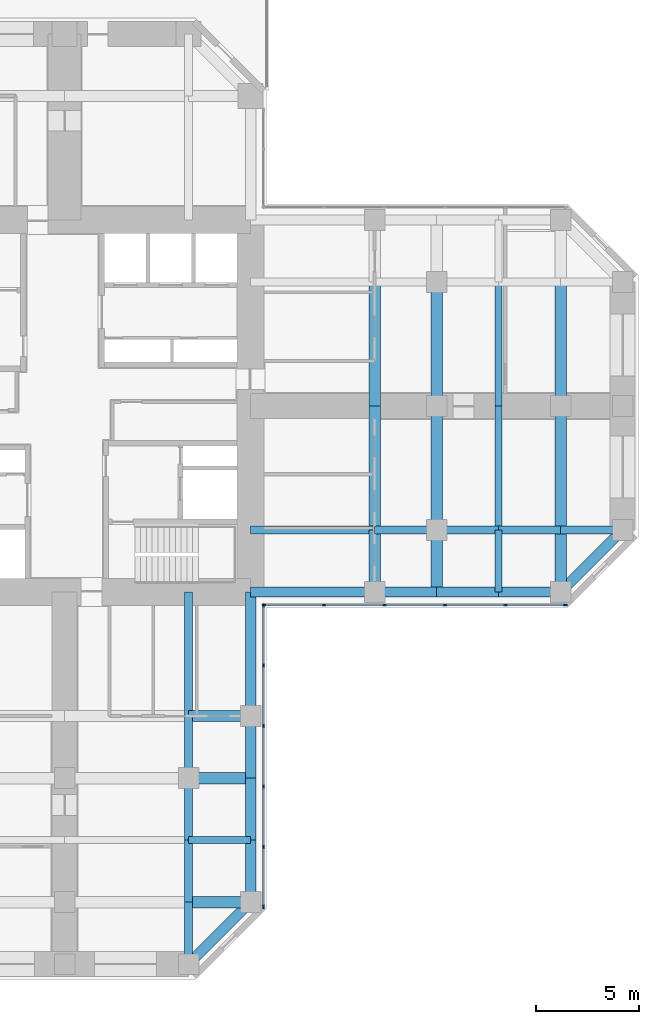
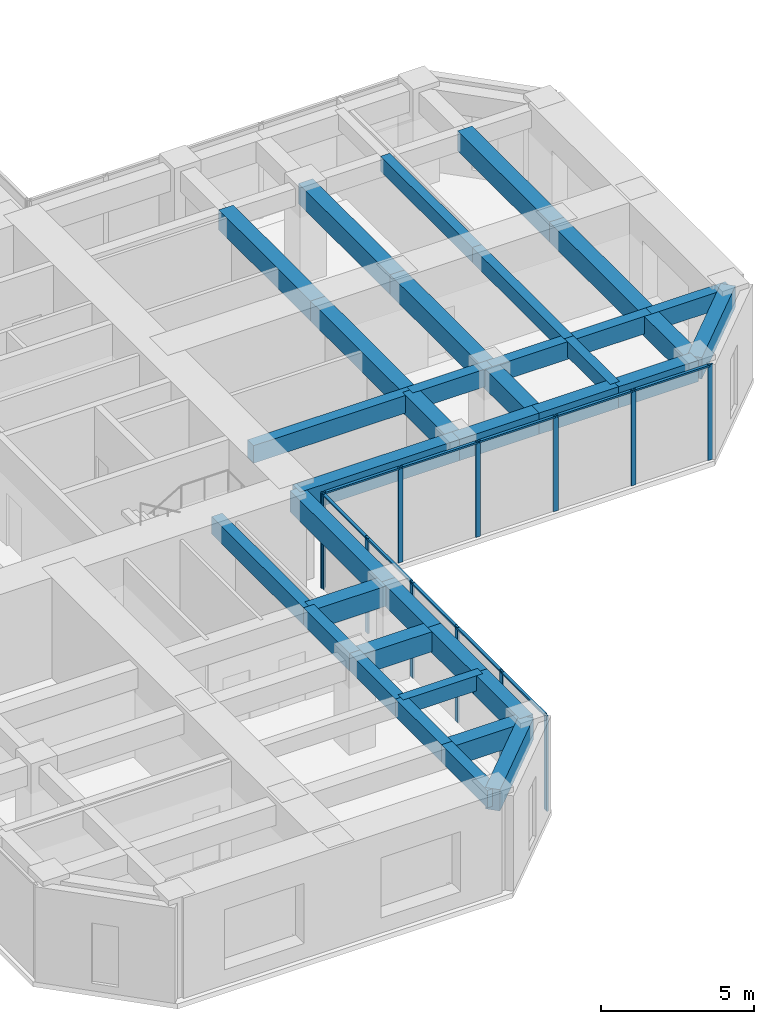
# One storey, part 4 of 12: 36 beams, 22 members, 2 elements without a shape of their own.
"""IFC4 building model written with IfcOpenShell, lengths in metres."""

import ifcopenshell
import ifcopenshell.guid

model = None  # the IFC model being written
_history = None  # IfcOwnerHistory: only IFC2X3 demands one
_inside = {}  # id of a spatial element -> (the spatial element, [elements in it])
_under = {}  # id of a project, library or spatial element -> (it, [spatial elements below it])
_declared = {}  # id of a project -> (the project, [libraries it declares])
_typed = {}  # id of a type object -> (the type object, [elements of that type])
_made_of = {}  # id of a material, layer set ... -> (it, [elements and type objects made of it])


def new_model(schema):
    """Start an empty IFC model of exactly this schema.

    Asked for "IFC4X3", IfcOpenShell would pick the latest addendum, in which some entities
    have other attributes; the version numbers below select the first issue.
    IFC2X3 requires an IfcOwnerHistory on every rooted entity: one is made here for all.
    """
    global model, _history
    if schema == "IFC4X3":
        model = ifcopenshell.file(schema_version=(4, 3, 0, 0))
    else:
        model = ifcopenshell.file(schema=schema)
    _inside.clear()
    _under.clear()
    _declared.clear()
    _typed.clear()
    _made_of.clear()
    _history = None
    if model.schema == "IFC2X3":
        org = make("IfcOrganization", Name="unknown")
        user = make(
            "IfcPersonAndOrganization",
            ThePerson=make("IfcPerson", FamilyName="unknown"),
            TheOrganization=org,
        )
        app = make(
            "IfcApplication",
            ApplicationDeveloper=org,
            Version="unknown",
            ApplicationFullName="unknown",
            ApplicationIdentifier="unknown",
        )
        _history = make(
            "IfcOwnerHistory",
            OwningUser=user,
            OwningApplication=app,
            ChangeAction="ADDED",
            CreationDate=0,
        )
    return model


def make(cls, **values):
    """One entity of the class cls with the attributes given. An attribute that is None is left unset."""
    return model.create_entity(
        cls, **{name: value for name, value in values.items() if value is not None}
    )


def rooted(cls, **values):
    """An entity with a GlobalId (a new one), such as an element, a storey or a relation."""
    return make(cls, GlobalId=ifcopenshell.guid.new(), OwnerHistory=_history, **values)


def si_unit(unit_type, name, prefix=None):
    """IfcSIUnit, for example si_unit("LENGTHUNIT", "METRE", prefix="MILLI")."""
    return make("IfcSIUnit", UnitType=unit_type, Prefix=prefix, Name=name)


def assignment(units):
    """IfcUnitAssignment: the units of a project."""
    return None if units is None else make("IfcUnitAssignment", Units=units)


def point(xyz):
    """IfcCartesianPoint."""
    return None if xyz is None else make("IfcCartesianPoint", Coordinates=xyz)


def direction(xyz):
    """IfcDirection."""
    return None if xyz is None else make("IfcDirection", DirectionRatios=xyz)


def frame(location, z_axis=None, x_axis=None):
    """IfcAxis2Placement3D, a coordinate frame: its origin and axes. An axis left out is left unset."""
    return make(
        "IfcAxis2Placement3D",
        Location=point(location),
        Axis=direction(z_axis),
        RefDirection=direction(x_axis),
    )


def frame_2d(location, x_axis=None):
    """IfcAxis2Placement2D, a coordinate frame in the plane: its origin and x axis."""
    return make(
        "IfcAxis2Placement2D", Location=point(location), RefDirection=direction(x_axis)
    )


def origin():
    """The frame at (0, 0, 0) with its axes left unset."""
    return frame((0.0, 0.0, 0.0))


def origin_2d():
    """The frame at (0, 0) in the plane with its x axis left unset."""
    return frame_2d((0.0, 0.0))


def place(relative_to, where):
    """IfcLocalPlacement: puts the frame where relative to a parent placement (None: the world)."""
    return make(
        "IfcLocalPlacement", PlacementRelTo=relative_to, RelativePlacement=where
    )


def context(
    kind, dimensions, precision=None, world=None, true_north=None, identifier=None
):
    """IfcGeometricRepresentationContext, for example the 3D "Model" context."""
    return make(
        "IfcGeometricRepresentationContext",
        ContextIdentifier=identifier,
        ContextType=kind,
        CoordinateSpaceDimension=dimensions,
        Precision=precision,
        WorldCoordinateSystem=world,
        TrueNorth=true_north,
    )


def subcontext(parent, identifier, kind, view, scale=None):
    """IfcGeometricRepresentationSubContext, for example "Body" below "Model"."""
    return make(
        "IfcGeometricRepresentationSubContext",
        ContextIdentifier=identifier,
        ContextType=kind,
        ParentContext=parent,
        TargetScale=scale,
        TargetView=view,
    )


def project(units=None, contexts=None):
    """IfcProject with its units and contexts."""
    return rooted(
        "IfcProject",
        Name="project",
        RepresentationContexts=contexts,
        UnitsInContext=assignment(units),
    )


def spatial(cls, under=None, at=None, **own):
    """A site, building, storey or space (cls), placed at a placement, below another one or the project."""
    s = rooted(cls, ObjectPlacement=at, **own)
    if under is not None:
        _under.setdefault(under.id(), (under, []))[1].append(s)
    return s


def profile(cls, at=None, kind="AREA", **sizes):
    """A parametric profile (cls). Its sizes go by their IFC names, for example OverallWidth=200.0."""
    return make(cls, ProfileType=kind, Position=at, **sizes)


def rectangle(**sizes):
    """IfcRectangleProfileDef."""
    return profile("IfcRectangleProfileDef", **sizes)


def extrude(swept, where, along, depth):
    """IfcExtrudedAreaSolid: the profile swept, set in the frame where, extruded along a direction by depth."""
    return make(
        "IfcExtrudedAreaSolid",
        SweptArea=swept,
        Position=where,
        ExtrudedDirection=direction(along),
        Depth=depth,
    )


def shape(context_of_items, identifier, shape_type, items):
    """IfcShapeRepresentation: the items that make up one representation, for example the "Body"."""
    return make(
        "IfcShapeRepresentation",
        ContextOfItems=context_of_items,
        RepresentationIdentifier=identifier,
        RepresentationType=shape_type,
        Items=items,
    )


def material(Name=None, Category=None):
    """IfcMaterial."""
    return make("IfcMaterial", Name=Name, Category=Category)


def material_profile(
    of_material, cross_section, Name=None, Category=None, Priority=None
):
    """IfcMaterialProfile: a cross section and its material."""
    return make(
        "IfcMaterialProfile",
        Name=Name,
        Material=of_material,
        Profile=cross_section,
        Priority=Priority,
        Category=Category,
    )


def profile_set(profiles, Name=None, composite=None):
    """IfcMaterialProfileSet."""
    return make(
        "IfcMaterialProfileSet",
        Name=Name,
        MaterialProfiles=profiles,
        CompositeProfile=composite,
    )


def made_of(thing, what):
    """Note that an element or type object is made of a material, layer set ...; save() writes the relation."""
    if what is not None:
        _made_of.setdefault(what.id(), (what, []))[1].append(thing)
    return thing


def type_object(cls, material=None, **own):
    """A type object (cls), such as IfcWallType, which elements share."""
    return made_of(rooted(cls, **own), material)


def element(
    cls,
    number,
    at=None,
    inside=None,
    cuts=None,
    type_object=None,
    material=None,
    context=None,
    identifier="Body",
    shape_type=None,
    held_by="IfcProductDefinitionShape",
    body=None,
    shapes=None,
    **own,
):
    """One element of the class cls, such as IfcWall. Its Tag is "e" and its number.

    at: its placement. inside: the storey or other place that contains it. cuts: it is an
    opening in that element (IfcRelVoidsElement). A single representation is given by context,
    identifier, shape_type and body (its items); several are given by shapes. held_by: the class
    of the entity that holds the representations. save() writes the other relations.
    """
    e = rooted(cls, Tag="e%d" % number, ObjectPlacement=at, **own)
    if body is not None:
        shapes = [shape(context, identifier, shape_type, body)]
    if shapes is not None:
        e.Representation = make(held_by, Representations=shapes)
    if inside is not None:
        _inside.setdefault(inside.id(), (inside, []))[1].append(e)
    if cuts is not None:
        rooted(
            "IfcRelVoidsElement", RelatingBuildingElement=cuts, RelatedOpeningElement=e
        )
    if type_object is not None:
        _typed.setdefault(type_object.id(), (type_object, []))[1].append(e)
    return made_of(e, material)


def aggregate(whole, parts):
    """IfcRelAggregates: a whole, such as a stair, and the parts it consists of."""
    return rooted("IfcRelAggregates", RelatingObject=whole, RelatedObjects=parts)


def save(model, path):
    """Write the relations noted so far, then the file.

    IfcRelAggregates (storeys below a building ...), IfcRelContainedInSpatialStructure (elements
    in a storey), IfcRelDefinesByType, IfcRelAssociatesMaterial and IfcRelDeclares: one each for
    every whole, place, type object, material and project.
    """
    for whole, parts in _under.values():
        aggregate(whole, parts)
    for where, things in _inside.values():
        rooted(
            "IfcRelContainedInSpatialStructure",
            RelatedElements=things,
            RelatingStructure=where,
        )
    for kind, things in _typed.values():
        rooted("IfcRelDefinesByType", RelatedObjects=things, RelatingType=kind)
    for what, things in _made_of.values():
        rooted("IfcRelAssociatesMaterial", RelatedObjects=things, RelatingMaterial=what)
    for by, libraries in _declared.values():
        rooted("IfcRelDeclares", RelatingContext=by, RelatedDefinitions=libraries)
    model.write(path)


model = new_model("IFC4")

# Units and contexts
model_context = context("Model", 3, precision=1e-05, world=origin(), true_north=direction((0.0, 1.0)))
body_context = subcontext(model_context, "Body", "Model", "MODEL_VIEW")
ifc_project = project(units=[si_unit("LENGTHUNIT", "METRE"), si_unit("AREAUNIT", "SQUARE_METRE"), si_unit("VOLUMEUNIT", "CUBIC_METRE"), si_unit("PLANEANGLEUNIT", "RADIAN"), si_unit("MASSUNIT", "GRAM", prefix="KILO")], contexts=[model_context])

# Site, building, storey
site_placement = place(None, origin())
site = spatial("IfcSite", under=ifc_project, at=site_placement, CompositionType="ELEMENT")
building_placement = place(site_placement, origin())
building = spatial("IfcBuilding", under=site, at=building_placement, Name="Torre Cruceta", CompositionType="ELEMENT")
storey_placement = place(building_placement, frame((0.0, 0.0, 100.5)))
storey = spatial("IfcBuildingStorey", under=building, at=storey_placement, Name="L24", CompositionType="ELEMENT", Elevation=100.5)

# Beams
ifc_material_1 = material(Name="Concrete G60 (fck 60 MPa)", Category="concrete")
ifc_material_profile_1 = material_profile(ifc_material_1, rectangle(XDim=0.39990234375, YDim=0.699951171875, at=origin_2d()), Name="RC 400X700")
ifc_profile_set_1 = profile_set([ifc_material_profile_1], Name="Concrete G60 (fck 60 MPa)")
beam_type_1 = type_object("IfcBeamType", Name="COLUMN LINE BEAM RC 400X700", PredefinedType="BEAM", material=ifc_profile_set_1)
beam_1_placement = place(storey_placement, frame((9.0, -6.0, 3.449951171875), z_axis=(1.0, 0.0, 0.0), x_axis=(0.0, 1.0, 0.0)))
element("IfcBeam", 1, at=beam_1_placement, inside=storey, type_object=beam_type_1, Name="LB5 L24 E col- 1", PredefinedType="BEAM", context=body_context, shape_type="SweptSolid", body=[
    extrude(rectangle(XDim=0.39990234375, YDim=0.699951171875, at=origin_2d()), origin(), (0.0, 0.0, 1.0), 6.0),
])
for number, where, z_axis, x_axis, name in (
    (2, (15.0, -6.0, 3.449951171875), (1.0, 0.0, 0.0), (0.0, 1.0, 0.0), "LB5 L24 E col- 2"),
    (3, (18.0, -6.0, 3.449951171875), (1.0, 0.0, 0.0), (0.0, 1.0, 0.0), "LB5 L24 E col- 3"),
    (4, (21.0, -6.0, 3.449951171875), (1.0, 0.0, 0.0), (0.0, 1.0, 0.0), "LB5 L24 E col- 4"),
    (5, (24.0, -6.0, 3.449951171875), (1.0, 0.0, 0.0), (0.0, 1.0, 0.0), "LB5 L24 E col- 5"),
):
    element("IfcBeam", number, at=place(storey_placement, frame(where, z_axis=z_axis, x_axis=x_axis)), inside=storey, type_object=beam_type_1, Name=name, PredefinedType="BEAM", context=body_context, shape_type="SweptSolid", body=[
        extrude(rectangle(XDim=0.39990234375, YDim=0.699951171875, at=origin_2d()), origin(), (0.0, 0.0, 1.0), 3.0),
    ])
beam_2_placement = place(storey_placement, frame((6.0, -9.0, 3.449951171875), z_axis=(0.0, -1.0, 0.0), x_axis=(1.0, 0.0, 0.0)))
element("IfcBeam", 6, at=beam_2_placement, inside=storey, type_object=beam_type_1, Name="LB5 L24 S col+ 1", PredefinedType="BEAM", context=body_context, shape_type="SweptSolid", body=[
    extrude(rectangle(XDim=0.39990234375, YDim=0.699951171875, at=origin_2d()), origin(), (0.0, 0.0, 1.0), 6.0),
])
for number, where, z_axis, x_axis, name in (
    (7, (6.0, -15.0, 3.449951171875), (0.0, -1.0, 0.0), (1.0, 0.0, 0.0), "LB5 L24 S col+ 2"),
    (8, (6.0, -18.0, 3.449951171875), (0.0, -1.0, 0.0), (1.0, 0.0, 0.0), "LB5 L24 S col+ 3"),
    (9, (6.0, -21.0, 3.449951171875), (0.0, -1.0, 0.0), (1.0, 0.0, 0.0), "LB5 L24 S col+ 4"),
    (10, (6.0, -24.0, 3.449951171875), (0.0, -1.0, 0.0), (1.0, 0.0, 0.0), "LB5 L24 S col+ 5"),
):
    element("IfcBeam", number, at=place(storey_placement, frame(where, z_axis=z_axis, x_axis=x_axis)), inside=storey, type_object=beam_type_1, Name=name, PredefinedType="BEAM", context=body_context, shape_type="SweptSolid", body=[
        extrude(rectangle(XDim=0.39990234375, YDim=0.699951171875, at=origin_2d()), origin(), (0.0, 0.0, 1.0), 3.0),
    ])
ifc_material_2 = material(Name="Concrete G60 (fck 60 MPa)", Category="concrete")
ifc_material_profile_2 = material_profile(ifc_material_2, rectangle(XDim=0.550048828125, YDim=0.800048828125, at=origin_2d()), Name="RC 550X800")
ifc_profile_set_2 = profile_set([ifc_material_profile_2], Name="Concrete G60 (fck 60 MPa)")
beam_type_2 = type_object("IfcBeamType", Name="CROSS BEAM RC 550X800", PredefinedType="BEAM", material=ifc_profile_set_2)
beam_3_placement = place(storey_placement, frame((15.0, -9.0, 3.39990234375), z_axis=(0.0, 1.0, 0.0), x_axis=(-1.0, 0.0, 0.0)))
element("IfcBeam", 11, at=beam_3_placement, inside=storey, type_object=beam_type_2, Name="GB5 L24 E cross15 1", PredefinedType="BEAM", context=body_context, shape_type="SweptSolid", body=[
    extrude(rectangle(XDim=0.550048828125, YDim=0.800048828125, at=origin_2d()), origin(), (0.0, 0.0, 1.0), 3.0),
])
for number, where, z_axis, x_axis, name in (
    (12, (15.0, -6.0, 3.39990234375), (0.0, 1.0, 0.0), (-1.0, 0.0, 0.0), "GB5 L24 E cross15 2"),
    (13, (15.0, 0.0, 3.39990234375), (0.0, 1.0, 0.0), (-1.0, 0.0, 0.0), "GB5 L24 E cross15 3"),
):
    element("IfcBeam", number, at=place(storey_placement, frame(where, z_axis=z_axis, x_axis=x_axis)), inside=storey, type_object=beam_type_2, Name=name, PredefinedType="BEAM", context=body_context, shape_type="SweptSolid", body=[
        extrude(rectangle(XDim=0.550048828125, YDim=0.800048828125, at=origin_2d()), origin(), (0.0, 0.0, 1.0), 6.0),
    ])
beam_4_placement = place(storey_placement, frame((18.0, -9.0, 3.39990234375), z_axis=(0.0, 1.0, 0.0), x_axis=(-1.0, 0.0, 0.0)))
element("IfcBeam", 14, at=beam_4_placement, inside=storey, type_object=beam_type_2, Name="GB5 L24 E cross18 1", PredefinedType="BEAM", context=body_context, shape_type="SweptSolid", body=[
    extrude(rectangle(XDim=0.550048828125, YDim=0.800048828125, at=origin_2d()), origin(), (0.0, 0.0, 1.0), 3.0),
])
for number, where, z_axis, x_axis, name in (
    (15, (18.0, -6.0, 3.39990234375), (0.0, 1.0, 0.0), (-1.0, 0.0, 0.0), "GB5 L24 E cross18 2"),
    (16, (18.0, 0.0, 3.39990234375), (0.0, 1.0, 0.0), (-1.0, 0.0, 0.0), "GB5 L24 E cross18 3"),
):
    element("IfcBeam", number, at=place(storey_placement, frame(where, z_axis=z_axis, x_axis=x_axis)), inside=storey, type_object=beam_type_2, Name=name, PredefinedType="BEAM", context=body_context, shape_type="SweptSolid", body=[
        extrude(rectangle(XDim=0.550048828125, YDim=0.800048828125, at=origin_2d()), origin(), (0.0, 0.0, 1.0), 6.0),
    ])
beam_5_placement = place(storey_placement, frame((24.0, -9.0, 3.39990234375), z_axis=(0.0, 1.0, 0.0), x_axis=(-1.0, 0.0, 0.0)))
element("IfcBeam", 17, at=beam_5_placement, inside=storey, type_object=beam_type_2, Name="GB5 L24 E cross24 1", PredefinedType="BEAM", context=body_context, shape_type="SweptSolid", body=[
    extrude(rectangle(XDim=0.550048828125, YDim=0.800048828125, at=origin_2d()), origin(), (0.0, 0.0, 1.0), 3.0),
])
for number, where, z_axis, x_axis, name in (
    (18, (24.0, -6.0, 3.39990234375), (0.0, 1.0, 0.0), (-1.0, 0.0, 0.0), "GB5 L24 E cross24 2"),
    (19, (24.0, 0.0, 3.39990234375), (0.0, 1.0, 0.0), (-1.0, 0.0, 0.0), "GB5 L24 E cross24 3"),
):
    element("IfcBeam", number, at=place(storey_placement, frame(where, z_axis=z_axis, x_axis=x_axis)), inside=storey, type_object=beam_type_2, Name=name, PredefinedType="BEAM", context=body_context, shape_type="SweptSolid", body=[
        extrude(rectangle(XDim=0.550048828125, YDim=0.800048828125, at=origin_2d()), origin(), (0.0, 0.0, 1.0), 6.0),
    ])
for number, where, z_axis, x_axis, name in (
    (20, (6.0, -15.0, 3.39990234375), (1.0, 0.0, 0.0), (0.0, 1.0, 0.0), "GB5 L24 S cross15 4"),
    (21, (6.0, -18.0, 3.39990234375), (1.0, 0.0, 0.0), (0.0, 1.0, 0.0), "GB5 L24 S cross18 4"),
    (22, (6.0, -24.0, 3.39990234375), (1.0, 0.0, 0.0), (0.0, 1.0, 0.0), "GB5 L24 S cross24 4"),
):
    element("IfcBeam", number, at=place(storey_placement, frame(where, z_axis=z_axis, x_axis=x_axis)), inside=storey, type_object=beam_type_2, Name=name, PredefinedType="BEAM", context=body_context, shape_type="SweptSolid", body=[
        extrude(rectangle(XDim=0.550048828125, YDim=0.800048828125, at=origin_2d()), origin(), (0.0, 0.0, 1.0), 3.0),
    ])

# Curtain wall, members
ifc_material_3 = material(Name="Aluminium unitised curtain wall", Category="aluminium")
curtain_wall_type = type_object("IfcCurtainWallType", Name="CURTAIN WALL CW-B OFFICE MID RISE", PredefinedType="USERDEFINED", material=ifc_material_3)
curtain_wall_1_placement = place(storey_placement, origin())
curtain_wall_1 = element("IfcCurtainWall", 23, at=curtain_wall_1_placement, inside=storey, type_object=curtain_wall_type, Name="CW-B L24 E side 00", ObjectType="UNITISED", PredefinedType="USERDEFINED")
ifc_material_4 = material(Name="Aluminium mullion", Category="aluminium")
ifc_material_profile_3 = material_profile(ifc_material_4, rectangle(XDim=0.06494140625, YDim=0.179931640625, at=origin_2d()), Name="AL 65X180")
ifc_profile_set_3 = profile_set([ifc_material_profile_3], Name="Aluminium mullion")
member_type_1 = type_object("IfcMemberType", Name="CW-B MULLION 65X180", PredefinedType="MULLION", material=ifc_profile_set_3)
member_1_placement = place(storey_placement, frame((9.652587890625, -9.6201171875, 0.0), z_axis=(0.0, 0.0, 1.0), x_axis=(0.0, 1.0, 0.0)))
member_1 = element("IfcMember", 24, at=member_1_placement, type_object=member_type_1, Name="CW-B mullion 1", PredefinedType="MULLION", context=body_context, shape_type="SweptSolid", body=[
    extrude(rectangle(XDim=0.06494140625, YDim=0.179931640625, at=origin_2d()), origin(), (0.0, 0.0, 1.0), 3.800048828125),
])
member_2_placement = place(storey_placement, frame((12.54736328125, -9.6201171875, 0.0), z_axis=(0.0, 0.0, 1.0), x_axis=(0.0, 1.0, 0.0)))
member_2 = element("IfcMember", 25, at=member_2_placement, type_object=member_type_1, Name="CW-B mullion 2", PredefinedType="MULLION", context=body_context, shape_type="SweptSolid", body=[
    extrude(rectangle(XDim=0.06494140625, YDim=0.179931640625, at=origin_2d()), origin(), (0.0, 0.0, 1.0), 3.800048828125),
])
member_3_placement = place(storey_placement, frame((15.474609375, -9.6201171875, 0.0), z_axis=(0.0, 0.0, 1.0), x_axis=(0.0, 1.0, 0.0)))
member_3 = element("IfcMember", 26, at=member_3_placement, type_object=member_type_1, Name="CW-B mullion 3", PredefinedType="MULLION", context=body_context, shape_type="SweptSolid", body=[
    extrude(rectangle(XDim=0.06494140625, YDim=0.179931640625, at=origin_2d()), origin(), (0.0, 0.0, 1.0), 3.800048828125),
])
member_4_placement = place(storey_placement, frame((18.402099609375, -9.6201171875, 0.0), z_axis=(0.0, 0.0, 1.0), x_axis=(0.0, 1.0, 0.0)))
member_4 = element("IfcMember", 27, at=member_4_placement, type_object=member_type_1, Name="CW-B mullion 4", PredefinedType="MULLION", context=body_context, shape_type="SweptSolid", body=[
    extrude(rectangle(XDim=0.06494140625, YDim=0.179931640625, at=origin_2d()), origin(), (0.0, 0.0, 1.0), 3.800048828125),
])
member_5_placement = place(storey_placement, frame((21.329345703125, -9.6201171875, 0.0), z_axis=(0.0, 0.0, 1.0), x_axis=(0.0, 1.0, 0.0)))
member_5 = element("IfcMember", 28, at=member_5_placement, type_object=member_type_1, Name="CW-B mullion 5", PredefinedType="MULLION", context=body_context, shape_type="SweptSolid", body=[
    extrude(rectangle(XDim=0.06494140625, YDim=0.179931640625, at=origin_2d()), origin(), (0.0, 0.0, 1.0), 3.800048828125),
])
member_6_placement = place(storey_placement, frame((24.224365234375, -9.6201171875, 0.0), z_axis=(0.0, 0.0, 1.0), x_axis=(0.0, 1.0, 0.0)))
member_6 = element("IfcMember", 29, at=member_6_placement, type_object=member_type_1, Name="CW-B mullion 6", PredefinedType="MULLION", context=body_context, shape_type="SweptSolid", body=[
    extrude(rectangle(XDim=0.06494140625, YDim=0.179931640625, at=origin_2d()), origin(), (0.0, 0.0, 1.0), 3.800048828125),
])

curtain_wall_2_placement = place(storey_placement, origin())
curtain_wall_2 = element("IfcCurtainWall", 30, at=curtain_wall_2_placement, inside=storey, type_object=curtain_wall_type, Name="CW-B L24 S side 19", ObjectType="UNITISED", PredefinedType="USERDEFINED")
member_7_placement = place(storey_placement, frame((9.6201171875, -24.224365234375, 0.0), z_axis=(0.0, 0.0, 1.0), x_axis=(-1.0, 0.0, 0.0)))
member_7 = element("IfcMember", 31, at=member_7_placement, type_object=member_type_1, Name="CW-B mullion 1", PredefinedType="MULLION", context=body_context, shape_type="SweptSolid", body=[
    extrude(rectangle(XDim=0.06494140625, YDim=0.179931640625, at=origin_2d()), origin(), (0.0, 0.0, 1.0), 3.800048828125),
])
member_8_placement = place(storey_placement, frame((9.6201171875, -21.329345703125, 0.0), z_axis=(0.0, 0.0, 1.0), x_axis=(-1.0, 0.0, 0.0)))
member_8 = element("IfcMember", 32, at=member_8_placement, type_object=member_type_1, Name="CW-B mullion 2", PredefinedType="MULLION", context=body_context, shape_type="SweptSolid", body=[
    extrude(rectangle(XDim=0.06494140625, YDim=0.179931640625, at=origin_2d()), origin(), (0.0, 0.0, 1.0), 3.800048828125),
])
member_9_placement = place(storey_placement, frame((9.6201171875, -18.402099609375, 0.0), z_axis=(0.0, 0.0, 1.0), x_axis=(-1.0, 0.0, 0.0)))
member_9 = element("IfcMember", 33, at=member_9_placement, type_object=member_type_1, Name="CW-B mullion 3", PredefinedType="MULLION", context=body_context, shape_type="SweptSolid", body=[
    extrude(rectangle(XDim=0.06494140625, YDim=0.179931640625, at=origin_2d()), origin(), (0.0, 0.0, 1.0), 3.800048828125),
])
member_10_placement = place(storey_placement, frame((9.6201171875, -15.474609375, 0.0), z_axis=(0.0, 0.0, 1.0), x_axis=(-1.0, 0.0, 0.0)))
member_10 = element("IfcMember", 34, at=member_10_placement, type_object=member_type_1, Name="CW-B mullion 4", PredefinedType="MULLION", context=body_context, shape_type="SweptSolid", body=[
    extrude(rectangle(XDim=0.06494140625, YDim=0.179931640625, at=origin_2d()), origin(), (0.0, 0.0, 1.0), 3.800048828125),
])
member_11_placement = place(storey_placement, frame((9.6201171875, -12.54736328125, 0.0), z_axis=(0.0, 0.0, 1.0), x_axis=(-1.0, 0.0, 0.0)))
member_11 = element("IfcMember", 35, at=member_11_placement, type_object=member_type_1, Name="CW-B mullion 5", PredefinedType="MULLION", context=body_context, shape_type="SweptSolid", body=[
    extrude(rectangle(XDim=0.06494140625, YDim=0.179931640625, at=origin_2d()), origin(), (0.0, 0.0, 1.0), 3.800048828125),
])
member_12_placement = place(storey_placement, frame((9.6201171875, -9.652587890625, 0.0), z_axis=(0.0, 0.0, 1.0), x_axis=(-1.0, 0.0, 0.0)))
member_12 = element("IfcMember", 36, at=member_12_placement, type_object=member_type_1, Name="CW-B mullion 6", PredefinedType="MULLION", context=body_context, shape_type="SweptSolid", body=[
    extrude(rectangle(XDim=0.06494140625, YDim=0.179931640625, at=origin_2d()), origin(), (0.0, 0.0, 1.0), 3.800048828125),
])

# Member
ifc_material_5 = material(Name="Aluminium transom", Category="aluminium")
ifc_material_profile_4 = material_profile(ifc_material_5, rectangle(XDim=0.110107421875, YDim=0.06494140625, at=origin_2d()), Name="AL 110X65")
ifc_profile_set_4 = profile_set([ifc_material_profile_4], Name="Aluminium transom")
member_type_2 = type_object("IfcMemberType", Name="CW-B TRANSOM 65X110", PredefinedType="USERDEFINED", material=ifc_profile_set_4)
member_13_placement = place(storey_placement, frame((9.68505859375, -9.6201171875, 3.767578125), z_axis=(1.0, 0.0, 0.0), x_axis=(0.0, 1.0, 0.0)))
member_13 = element("IfcMember", 37, at=member_13_placement, type_object=member_type_2, Name="CW-B transom 1", ObjectType="TRANSOM", PredefinedType="USERDEFINED", context=body_context, shape_type="SweptSolid", body=[
    extrude(rectangle(XDim=0.110107421875, YDim=0.06494140625, at=origin_2d()), origin(), (0.0, 0.0, 1.0), 2.829833984375),
])

member_14_placement = place(storey_placement, frame((12.579833984375, -9.6201171875, 3.767578125), z_axis=(1.0, 0.0, 0.0), x_axis=(0.0, 1.0, 0.0)))
member_14 = element("IfcMember", 38, at=member_14_placement, type_object=member_type_2, Name="CW-B transom 2", ObjectType="TRANSOM", PredefinedType="USERDEFINED", context=body_context, shape_type="SweptSolid", body=[
    extrude(rectangle(XDim=0.110107421875, YDim=0.06494140625, at=origin_2d()), origin(), (0.0, 0.0, 1.0), 2.8623046875),
])

member_15_placement = place(storey_placement, frame((15.50732421875, -9.6201171875, 3.767578125), z_axis=(1.0, 0.0, 0.0), x_axis=(0.0, 1.0, 0.0)))
member_15 = element("IfcMember", 39, at=member_15_placement, type_object=member_type_2, Name="CW-B transom 3", ObjectType="TRANSOM", PredefinedType="USERDEFINED", context=body_context, shape_type="SweptSolid", body=[
    extrude(rectangle(XDim=0.110107421875, YDim=0.06494140625, at=origin_2d()), origin(), (0.0, 0.0, 1.0), 2.8623046875),
])

member_16_placement = place(storey_placement, frame((18.4345703125, -9.6201171875, 3.767578125), z_axis=(1.0, 0.0, 0.0), x_axis=(0.0, 1.0, 0.0)))
member_16 = element("IfcMember", 40, at=member_16_placement, type_object=member_type_2, Name="CW-B transom 4", ObjectType="TRANSOM", PredefinedType="USERDEFINED", context=body_context, shape_type="SweptSolid", body=[
    extrude(rectangle(XDim=0.110107421875, YDim=0.06494140625, at=origin_2d()), origin(), (0.0, 0.0, 1.0), 2.8623046875),
])

member_17_placement = place(storey_placement, frame((21.362060546875, -9.6201171875, 3.767578125), z_axis=(1.0, 0.0, 0.0), x_axis=(0.0, 1.0, 0.0)))
member_17 = element("IfcMember", 41, at=member_17_placement, type_object=member_type_2, Name="CW-B transom 5", ObjectType="TRANSOM", PredefinedType="USERDEFINED", context=body_context, shape_type="SweptSolid", body=[
    extrude(rectangle(XDim=0.110107421875, YDim=0.06494140625, at=origin_2d()), origin(), (0.0, 0.0, 1.0), 2.829833984375),
])

aggregate(curtain_wall_1, [member_1, member_2, member_3, member_4, member_5, member_6, member_13, member_14, member_15, member_16, member_17])

member_18_placement = place(storey_placement, frame((9.6201171875, -24.19189453125, 3.767578125), z_axis=(0.0, 1.0, 0.0), x_axis=(-1.0, 0.0, 0.0)))
member_18 = element("IfcMember", 42, at=member_18_placement, type_object=member_type_2, Name="CW-B transom 1", ObjectType="TRANSOM", PredefinedType="USERDEFINED", context=body_context, shape_type="SweptSolid", body=[
    extrude(rectangle(XDim=0.110107421875, YDim=0.06494140625, at=origin_2d()), origin(), (0.0, 0.0, 1.0), 2.829833984375),
])

member_19_placement = place(storey_placement, frame((9.6201171875, -21.296875, 3.767578125), z_axis=(0.0, 1.0, 0.0), x_axis=(-1.0, 0.0, 0.0)))
member_19 = element("IfcMember", 43, at=member_19_placement, type_object=member_type_2, Name="CW-B transom 2", ObjectType="TRANSOM", PredefinedType="USERDEFINED", context=body_context, shape_type="SweptSolid", body=[
    extrude(rectangle(XDim=0.110107421875, YDim=0.06494140625, at=origin_2d()), origin(), (0.0, 0.0, 1.0), 2.8623046875),
])

member_20_placement = place(storey_placement, frame((9.6201171875, -18.36962890625, 3.767578125), z_axis=(0.0, 1.0, 0.0), x_axis=(-1.0, 0.0, 0.0)))
member_20 = element("IfcMember", 44, at=member_20_placement, type_object=member_type_2, Name="CW-B transom 3", ObjectType="TRANSOM", PredefinedType="USERDEFINED", context=body_context, shape_type="SweptSolid", body=[
    extrude(rectangle(XDim=0.110107421875, YDim=0.06494140625, at=origin_2d()), origin(), (0.0, 0.0, 1.0), 2.8623046875),
])

member_21_placement = place(storey_placement, frame((9.6201171875, -15.442138671875, 3.767578125), z_axis=(0.0, 1.0, 0.0), x_axis=(-1.0, 0.0, 0.0)))
member_21 = element("IfcMember", 45, at=member_21_placement, type_object=member_type_2, Name="CW-B transom 4", ObjectType="TRANSOM", PredefinedType="USERDEFINED", context=body_context, shape_type="SweptSolid", body=[
    extrude(rectangle(XDim=0.110107421875, YDim=0.06494140625, at=origin_2d()), origin(), (0.0, 0.0, 1.0), 2.8623046875),
])

member_22_placement = place(storey_placement, frame((9.6201171875, -12.514892578125, 3.767578125), z_axis=(0.0, 1.0, 0.0), x_axis=(-1.0, 0.0, 0.0)))
member_22 = element("IfcMember", 46, at=member_22_placement, type_object=member_type_2, Name="CW-B transom 5", ObjectType="TRANSOM", PredefinedType="USERDEFINED", context=body_context, shape_type="SweptSolid", body=[
    extrude(rectangle(XDim=0.110107421875, YDim=0.06494140625, at=origin_2d()), origin(), (0.0, 0.0, 1.0), 2.829833984375),
])

aggregate(curtain_wall_2, [member_7, member_8, member_9, member_10, member_11, member_12, member_18, member_19, member_20, member_21, member_22])

# Beams
ifc_material_6 = material(Name="Concrete G60 (fck 60 MPa)", Category="concrete")
ifc_material_profile_5 = material_profile(ifc_material_6, rectangle(XDim=0.35009765625, YDim=0.60009765625, at=origin_2d()), Name="RC 350X600")
ifc_profile_set_5 = profile_set([ifc_material_profile_5], Name="Concrete G60 (fck 60 MPa)")
beam_type_3 = type_object("IfcBeamType", Name="SECONDARY BEAM RC 350X600", PredefinedType="JOIST", material=ifc_profile_set_5)
beam_6_placement = place(storey_placement, frame((21.0, -9.0, 3.5), z_axis=(0.0, 1.0, 0.0), x_axis=(-1.0, 0.0, 0.0)))
element("IfcBeam", 47, at=beam_6_placement, inside=storey, type_object=beam_type_3, Name="JB5 L24 E sec21 1", PredefinedType="JOIST", context=body_context, shape_type="SweptSolid", body=[
    extrude(rectangle(XDim=0.35009765625, YDim=0.60009765625, at=origin_2d()), origin(), (0.0, 0.0, 1.0), 3.0),
])
for number, where, z_axis, x_axis, name in (
    (48, (21.0, -6.0, 3.5), (0.0, 1.0, 0.0), (-1.0, 0.0, 0.0), "JB5 L24 E sec21 2"),
    (49, (21.0, 0.0, 3.5), (0.0, 1.0, 0.0), (-1.0, 0.0, 0.0), "JB5 L24 E sec21 3"),
):
    element("IfcBeam", number, at=place(storey_placement, frame(where, z_axis=z_axis, x_axis=x_axis)), inside=storey, type_object=beam_type_3, Name=name, PredefinedType="JOIST", context=body_context, shape_type="SweptSolid", body=[
        extrude(rectangle(XDim=0.35009765625, YDim=0.60009765625, at=origin_2d()), origin(), (0.0, 0.0, 1.0), 6.0),
    ])
beam_7_placement = place(storey_placement, frame((6.0, -21.0, 3.5), z_axis=(1.0, 0.0, 0.0), x_axis=(0.0, 1.0, 0.0)))
element("IfcBeam", 50, at=beam_7_placement, inside=storey, type_object=beam_type_3, Name="JB5 L24 S sec21 4", PredefinedType="JOIST", context=body_context, shape_type="SweptSolid", body=[
    extrude(rectangle(XDim=0.35009765625, YDim=0.60009765625, at=origin_2d()), origin(), (0.0, 0.0, 1.0), 3.0),
])
ifc_material_7 = material(Name="Concrete G60 (fck 60 MPa)", Category="concrete")
ifc_material_profile_6 = material_profile(ifc_material_7, rectangle(XDim=0.5, YDim=0.85009765625, at=origin_2d()), Name="RC 500X850")
ifc_profile_set_6 = profile_set([ifc_material_profile_6], Name="Concrete G60 (fck 60 MPa)")
beam_type_4 = type_object("IfcBeamType", Name="SPANDREL BEAM RC 500X850", PredefinedType="SPANDREL", material=ifc_profile_set_6)
beam_8_placement = place(storey_placement, frame((9.0, -9.0, 3.375), z_axis=(1.0, 0.0, 0.0), x_axis=(0.0, 1.0, 0.0)))
element("IfcBeam", 51, at=beam_8_placement, inside=storey, type_object=beam_type_4, Name="SB5 L24 E side- 1", PredefinedType="SPANDREL", context=body_context, shape_type="SweptSolid", body=[
    extrude(rectangle(XDim=0.5, YDim=0.85009765625, at=origin_2d()), origin(), (0.0, 0.0, 1.0), 6.0),
])
for number, where, z_axis, x_axis, name in (
    (52, (15.0, -9.0, 3.375), (1.0, 0.0, 0.0), (0.0, 1.0, 0.0), "SB5 L24 E side- 2"),
    (53, (18.0, -9.0, 3.375), (1.0, 0.0, 0.0), (0.0, 1.0, 0.0), "SB5 L24 E side- 3"),
    (54, (21.0, -9.0, 3.375), (1.0, 0.0, 0.0), (0.0, 1.0, 0.0), "SB5 L24 E side- 4"),
):
    element("IfcBeam", number, at=place(storey_placement, frame(where, z_axis=z_axis, x_axis=x_axis)), inside=storey, type_object=beam_type_4, Name=name, PredefinedType="SPANDREL", context=body_context, shape_type="SweptSolid", body=[
        extrude(rectangle(XDim=0.5, YDim=0.85009765625, at=origin_2d()), origin(), (0.0, 0.0, 1.0), 3.0),
    ])
beam_9_placement = place(storey_placement, frame((24.0, -9.0, 3.375), z_axis=(0.707106781187, 0.707106781187, 0.0), x_axis=(-0.707106781187, 0.707106781187, 0.0)))
element("IfcBeam", 55, at=beam_9_placement, inside=storey, type_object=beam_type_4, Name="SB5 L24 E side- 5", PredefinedType="SPANDREL", context=body_context, shape_type="SweptSolid", body=[
    extrude(rectangle(XDim=0.5, YDim=0.85009765625, at=origin_2d()), origin(), (0.0, 0.0, 1.0), 4.24267578125),
])
beam_10_placement = place(storey_placement, frame((9.0, -9.0, 3.375), z_axis=(0.0, -1.0, 0.0), x_axis=(1.0, 0.0, 0.0)))
element("IfcBeam", 56, at=beam_10_placement, inside=storey, type_object=beam_type_4, Name="SB5 L24 S side+ 1", PredefinedType="SPANDREL", context=body_context, shape_type="SweptSolid", body=[
    extrude(rectangle(XDim=0.5, YDim=0.85009765625, at=origin_2d()), origin(), (0.0, 0.0, 1.0), 6.0),
])
for number, where, z_axis, x_axis, name in (
    (57, (9.0, -15.0, 3.375), (0.0, -1.0, 0.0), (1.0, 0.0, 0.0), "SB5 L24 S side+ 2"),
    (58, (9.0, -18.0, 3.375), (0.0, -1.0, 0.0), (1.0, 0.0, 0.0), "SB5 L24 S side+ 3"),
    (59, (9.0, -21.0, 3.375), (0.0, -1.0, 0.0), (1.0, 0.0, 0.0), "SB5 L24 S side+ 4"),
):
    element("IfcBeam", number, at=place(storey_placement, frame(where, z_axis=z_axis, x_axis=x_axis)), inside=storey, type_object=beam_type_4, Name=name, PredefinedType="SPANDREL", context=body_context, shape_type="SweptSolid", body=[
        extrude(rectangle(XDim=0.5, YDim=0.85009765625, at=origin_2d()), origin(), (0.0, 0.0, 1.0), 3.0),
    ])
beam_11_placement = place(storey_placement, frame((9.0, -24.0, 3.375), z_axis=(-0.707106781187, -0.707106781187, 0.0), x_axis=(0.707106781187, -0.707106781187, 0.0)))
element("IfcBeam", 60, at=beam_11_placement, inside=storey, type_object=beam_type_4, Name="SB5 L24 S side+ 5", PredefinedType="SPANDREL", context=body_context, shape_type="SweptSolid", body=[
    extrude(rectangle(XDim=0.5, YDim=0.85009765625, at=origin_2d()), origin(), (0.0, 0.0, 1.0), 4.24267578125),
])

save(model, "model.ifc")
